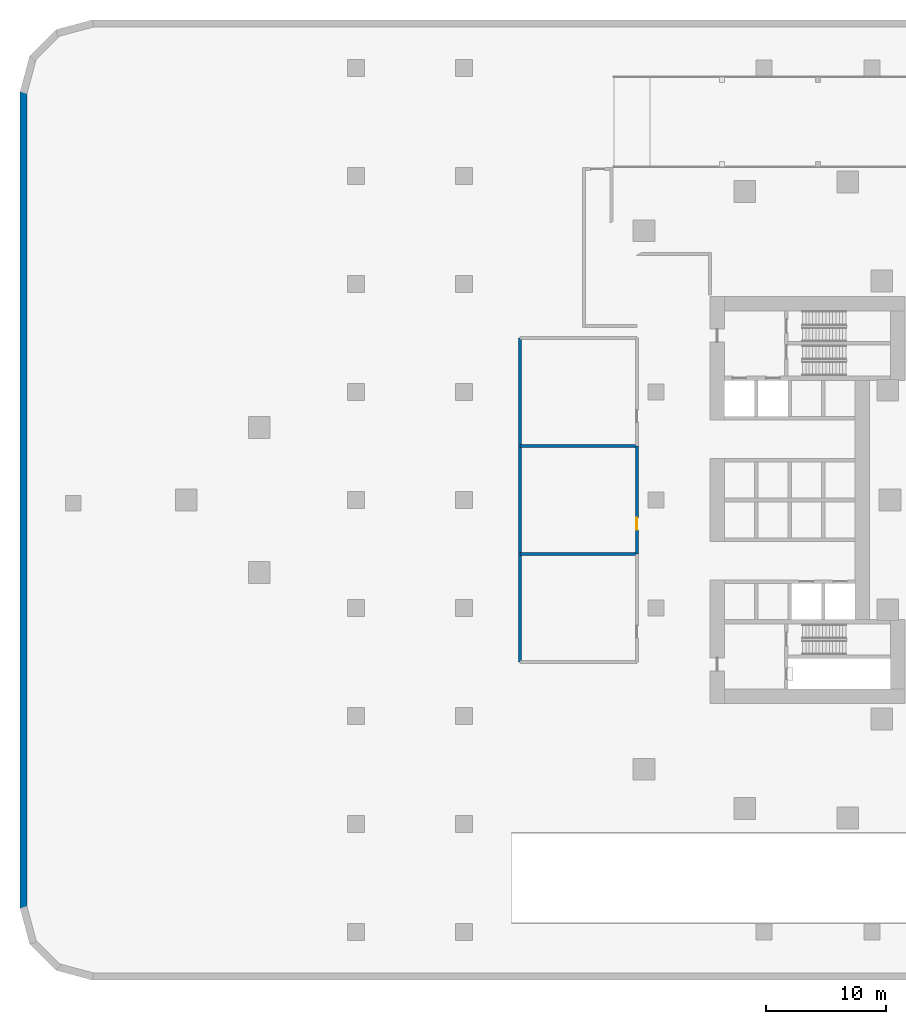
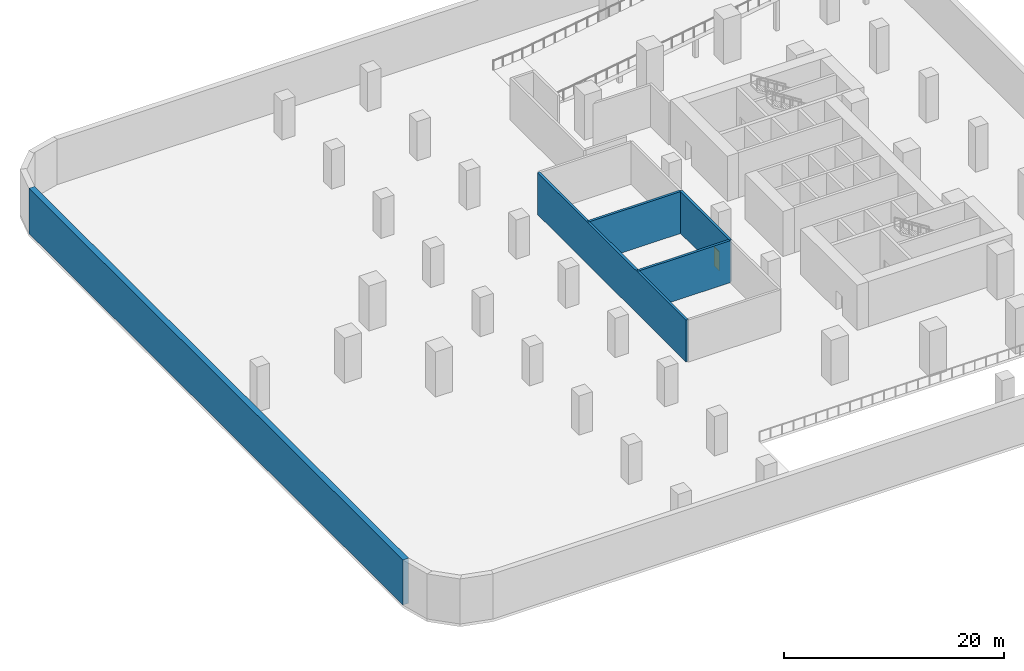
# One storey, part 3 of 9: 5 walls, 1 door, 1 opening.
"""IFC4 building model written with IfcOpenShell, lengths in metres."""

from ifc_helpers import new_model, si_unit, direction, frame, frame_2d, origin, place, context, subcontext, project, spatial, rectangle, extrude, material, layer, layer_set, type_object, element, fill, save


model = new_model("IFC4")

# Units and contexts
model_context = context("Model", 3, precision=1e-05, world=origin(), true_north=direction((0.0, 1.0)))
body_context = subcontext(model_context, "Body", "Model", "MODEL_VIEW")
ifc_project = project(units=[si_unit("LENGTHUNIT", "METRE"), si_unit("AREAUNIT", "SQUARE_METRE"), si_unit("VOLUMEUNIT", "CUBIC_METRE"), si_unit("PLANEANGLEUNIT", "RADIAN"), si_unit("MASSUNIT", "GRAM", prefix="KILO")], contexts=[model_context])

# Site, building, storey
site_placement = place(None, origin())
site = spatial("IfcSite", under=ifc_project, at=site_placement, CompositionType="ELEMENT")
building_placement = place(site_placement, origin())
building = spatial("IfcBuilding", under=site, at=building_placement, Name="Ostrand Prow Hotel Tower", CompositionType="ELEMENT")
storey_placement = place(building_placement, frame((0.0, 0.0, -5.0)))
storey = spatial("IfcBuildingStorey", under=building, at=storey_placement, Name="B1", CompositionType="ELEMENT", Elevation=-5.0)

# Wall
ifc_material_1 = material(Name="Concrete C40/50", Category="concrete")
ifc_layer_1 = layer(ifc_material_1, 0.60009765625)
ifc_layer_set_1 = layer_set([ifc_layer_1], Name="Concrete C40/50")
wall_type_1 = type_object("IfcWallType", Name="Retaining wall 600 C40/50", PredefinedType="STANDARD", material=ifc_layer_set_1)
wall_1_placement = place(storey_placement, frame((-7.699951171875, 34.0, 0.0), z_axis=(0.0, 0.0, 1.0), x_axis=(0.0, -1.0, 0.0)))
element("IfcWall", 1, at=wall_1_placement, inside=storey, type_object=wall_type_1, Name="Retaining wall B1-12", PredefinedType="STANDARD", context=body_context, shape_type="SweptSolid", body=[
    extrude(rectangle(XDim=68.0, YDim=0.60009765625, at=frame_2d((34.0, 0.0))), origin(), (0.0, 0.0, 1.0), 5.0),
])

# Wall, opening, door
ifc_material_2 = material(Name="Concrete block wall", Category="concrete")
ifc_layer_2 = layer(ifc_material_2, 0.25)
ifc_layer_set_2 = layer_set([ifc_layer_2], Name="Concrete block wall")
wall_type_2 = type_object("IfcWallType", Name="Service fire wall 250 masonry", PredefinedType="PARTITIONING", material=ifc_layer_set_2)
wall_2_placement = place(storey_placement, frame((43.39990234375, -4.5, 0.0), z_axis=(0.0, 0.0, 1.0), x_axis=(0.0, 1.0, 0.0)))
wall_2 = element("IfcWall", 2, at=wall_2_placement, inside=storey, type_object=wall_type_2, Name="SERVICE WALL", PredefinedType="PARTITIONING", context=body_context, shape_type="SweptSolid", body=[
    extrude(rectangle(XDim=9.0, YDim=0.25, at=frame_2d((4.5, 0.0))), origin(), (0.0, 0.0, 1.0), 4.64990234375),
])
opening_placement = place(wall_2_placement, frame((2.0, 0.0, 0.0)))
opening = element("IfcOpeningElement", 3, at=opening_placement, cuts=wall_2, Name="Opening SD1R", PredefinedType="OPENING", context=body_context, shape_type="SweptSolid", body=[
    extrude(rectangle(XDim=1.0, YDim=2.10009765625, at=frame_2d((0.5, 1.050048828125))), frame((0.0, 0.135009765625, 0.0), z_axis=(0.0, -1.0, 0.0), x_axis=(1.0, 0.0, 0.0)), (0.0, 0.0, 1.0), 0.27001953125),
])
ifc_material_3 = material(Name="Steel fire door", Category="steel")
door_type = type_object("IfcDoorType", Name="Service door 1000 EI120 right", OperationType="SINGLE_SWING_RIGHT", PredefinedType="DOOR", material=ifc_material_3)
door_placement = place(opening_placement, origin())
door = element("IfcDoor", 4, at=door_placement, inside=storey, type_object=door_type, Name="SERVICE DOOR", OperationType="SINGLE_SWING_RIGHT", OverallHeight=2.10009765625, OverallWidth=1.0, PredefinedType="DOOR", context=body_context, shape_type="SweptSolid", body=[
    extrude(rectangle(XDim=1.0, YDim=2.10009765625, at=frame_2d((0.5, 1.050048828125))), frame((0.0, 0.02490234375, 0.0), z_axis=(0.0, -1.0, 0.0), x_axis=(1.0, 0.0, 0.0)), (0.0, 0.0, 1.0), 0.050048828125),
])
fill(opening, door)

# Walls
for number, where, z_axis, x_axis, name in (
    (5, (33.64990234375, -4.5, 0.0), (0.0, 0.0, 1.0), (1.0, 0.0, 0.0), "SERVICE WALL"),
    (6, (33.64990234375, 4.5, 0.0), (0.0, 0.0, 1.0), (1.0, 0.0, 0.0), "SERVICE WALL"),
):
    element("IfcWall", number, at=place(storey_placement, frame(where, z_axis=z_axis, x_axis=x_axis)), inside=storey, type_object=wall_type_2, Name=name, PredefinedType="PARTITIONING", context=body_context, shape_type="SweptSolid", body=[
        extrude(rectangle(XDim=9.75, YDim=0.25, at=frame_2d((4.875, 0.0))), origin(), (0.0, 0.0, 1.0), 4.64990234375),
    ])
wall_3_placement = place(storey_placement, frame((33.64990234375, -13.5, 0.0), z_axis=(0.0, 0.0, 1.0), x_axis=(0.0, 1.0, 0.0)))
element("IfcWall", 7, at=wall_3_placement, inside=storey, type_object=wall_type_2, Name="SERVICE WALL", PredefinedType="PARTITIONING", context=body_context, shape_type="SweptSolid", body=[
    extrude(rectangle(XDim=27.0, YDim=0.25, at=frame_2d((13.5, 0.0))), origin(), (0.0, 0.0, 1.0), 4.64990234375),
])

save(model, "model.ifc")
